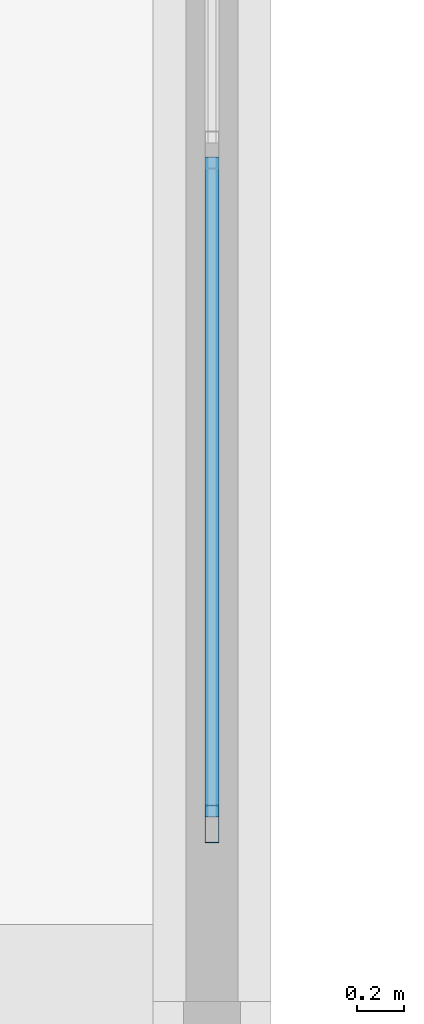
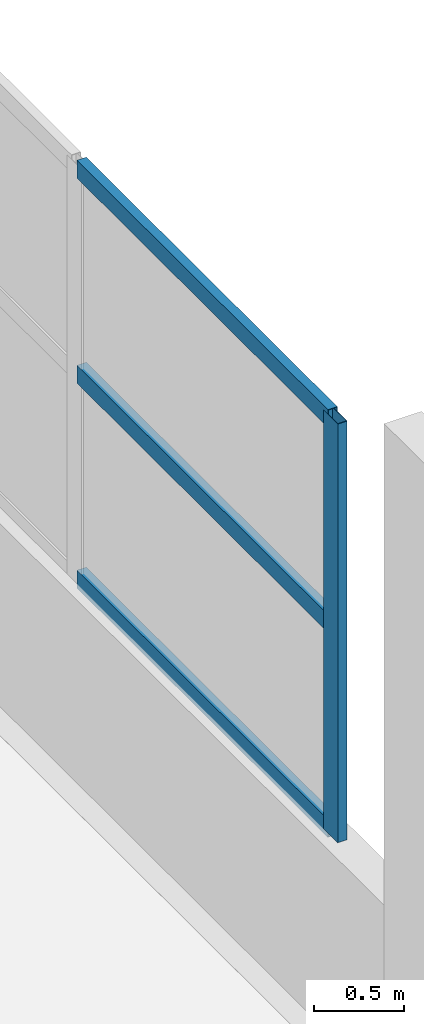
# One storey, part 81 of 181: 4 members, 1 element without a shape of its own.
"""IFC4 building model written with IfcOpenShell, lengths in metres."""

from ifc_helpers import new_model, si_unit, direction, frame, origin, origin_2d, place, context, subcontext, project, spatial, hollow_rectangle, extrude, material, layer, layer_set, material_profile, profile_set, type_object, element, aggregate, save


model = new_model("IFC4")

# Units and contexts
model_context = context("Model", 3, precision=1e-05, world=origin(), true_north=direction((0.0, 1.0)))
body_context = subcontext(model_context, "Body", "Model", "MODEL_VIEW")
ifc_project = project(units=[si_unit("LENGTHUNIT", "METRE"), si_unit("AREAUNIT", "SQUARE_METRE"), si_unit("VOLUMEUNIT", "CUBIC_METRE"), si_unit("PLANEANGLEUNIT", "RADIAN"), si_unit("MASSUNIT", "GRAM", prefix="KILO")], contexts=[model_context])

# Site, building, storey
site_placement = place(None, origin())
site = spatial("IfcSite", under=ifc_project, at=site_placement, CompositionType="ELEMENT")
building_placement = place(site_placement, origin())
building = spatial("IfcBuilding", under=site, at=building_placement, Name="Seraya Terrace Polytechnic", CompositionType="ELEMENT")
storey_placement = place(building_placement, frame((0.0, 0.0, 4.800048828125)))
storey = spatial("IfcBuildingStorey", under=building, at=storey_placement, Name="L01", CompositionType="ELEMENT", Elevation=4.800048828125)

# Curtain wall, members
ifc_material = material(Name="Anodised aluminium EN AW-6063 T6", Category="aluminium")
ifc_layer = layer(ifc_material, 0.179931640625, Name="CW-08")
ifc_layer_set = layer_set([ifc_layer], Name="Anodised aluminium EN AW-6063 T6")
curtain_wall_type = type_object("IfcCurtainWallType", Name="CW-08", PredefinedType="NOTDEFINED", material=ifc_layer_set)
curtain_wall_placement = place(storey_placement, origin())
curtain_wall = element("IfcCurtainWall", 1, at=curtain_wall_placement, inside=storey, type_object=curtain_wall_type, Name="Unitised curtain wall CW-08 (CW-L01-008)", PredefinedType="NOTDEFINED")
ifc_material_profile_1 = material_profile(ifc_material, hollow_rectangle(XDim=0.06005859375, YDim=0.159912109375, WallThickness=0.00341796875, at=origin_2d()), Name="RHS 160x60x3.5")
ifc_profile_set_1 = profile_set([ifc_material_profile_1], Name="Anodised aluminium EN AW-6063 T6")
member_type_1 = type_object("IfcMemberType", Name="CWM-02", PredefinedType="MULLION", material=ifc_profile_set_1)
member_1_placement = place(storey_placement, frame((28.800048828125, 101.550048828125, 1.239990234375), z_axis=(0.0, 0.0, 1.0), x_axis=(1.0, 0.0, 0.0)))
member_1 = element("IfcMember", 2, at=member_1_placement, type_object=member_type_1, Name="CW-08 mullion 3", PredefinedType="MULLION", context=body_context, shape_type="SweptSolid", body=[
    extrude(hollow_rectangle(XDim=0.06005859375, YDim=0.159912109375, WallThickness=0.00341796875, at=origin_2d()), origin(), (0.0, 0.0, 1.0), 2.83984375),
])
ifc_material_profile_2 = material_profile(ifc_material, hollow_rectangle(XDim=0.06005859375, YDim=0.1201171875, WallThickness=0.003173828125, at=origin_2d()), Name="RHS 120x60x3.2")
ifc_profile_set_2 = profile_set([ifc_material_profile_2], Name="Anodised aluminium EN AW-6063 T6")
member_type_2 = type_object("IfcMemberType", Name="CWT-02", PredefinedType="USERDEFINED", material=ifc_profile_set_2)
member_2_placement = place(storey_placement, frame((28.800048828125, 104.3701171875, 1.27001953125), z_axis=(0.0, -1.0, 0.0), x_axis=(1.0, 0.0, 0.0)))
member_2 = element("IfcMember", 3, at=member_2_placement, type_object=member_type_2, Name="CW-08 transom 2.1", ObjectType="TRANSOM", PredefinedType="USERDEFINED", context=body_context, shape_type="SweptSolid", body=[
    extrude(hollow_rectangle(XDim=0.06005859375, YDim=0.1201171875, WallThickness=0.003173828125, at=origin_2d()), origin(), (0.0, 0.0, 1.0), 2.7900390625),
])
member_3_placement = place(storey_placement, frame((28.800048828125, 104.3701171875, 2.659912109375), z_axis=(0.0, -1.0, 0.0), x_axis=(1.0, 0.0, 0.0)))
member_3 = element("IfcMember", 4, at=member_3_placement, type_object=member_type_2, Name="CW-08 transom 2.2", ObjectType="TRANSOM", PredefinedType="USERDEFINED", context=body_context, shape_type="SweptSolid", body=[
    extrude(hollow_rectangle(XDim=0.06005859375, YDim=0.1201171875, WallThickness=0.003173828125, at=origin_2d()), origin(), (0.0, 0.0, 1.0), 2.7900390625),
])
member_4_placement = place(storey_placement, frame((28.800048828125, 104.3701171875, 4.050048828125), z_axis=(0.0, -1.0, 0.0), x_axis=(1.0, 0.0, 0.0)))
member_4 = element("IfcMember", 5, at=member_4_placement, type_object=member_type_2, Name="CW-08 transom 2.3", ObjectType="TRANSOM", PredefinedType="USERDEFINED", context=body_context, shape_type="SweptSolid", body=[
    extrude(hollow_rectangle(XDim=0.06005859375, YDim=0.1201171875, WallThickness=0.003173828125, at=origin_2d()), origin(), (0.0, 0.0, 1.0), 2.7900390625),
])
aggregate(curtain_wall, [member_1, member_2, member_3, member_4])

save(model, "model.ifc")
